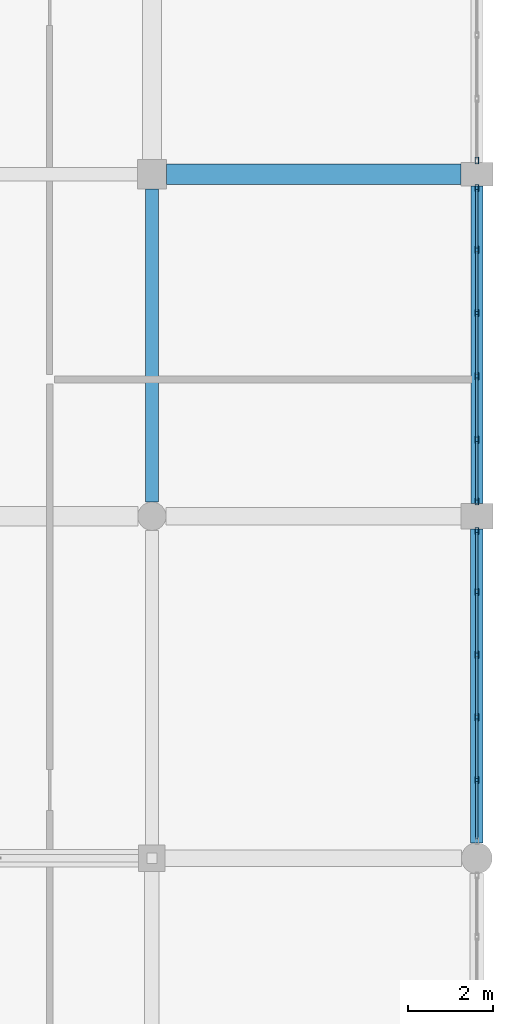
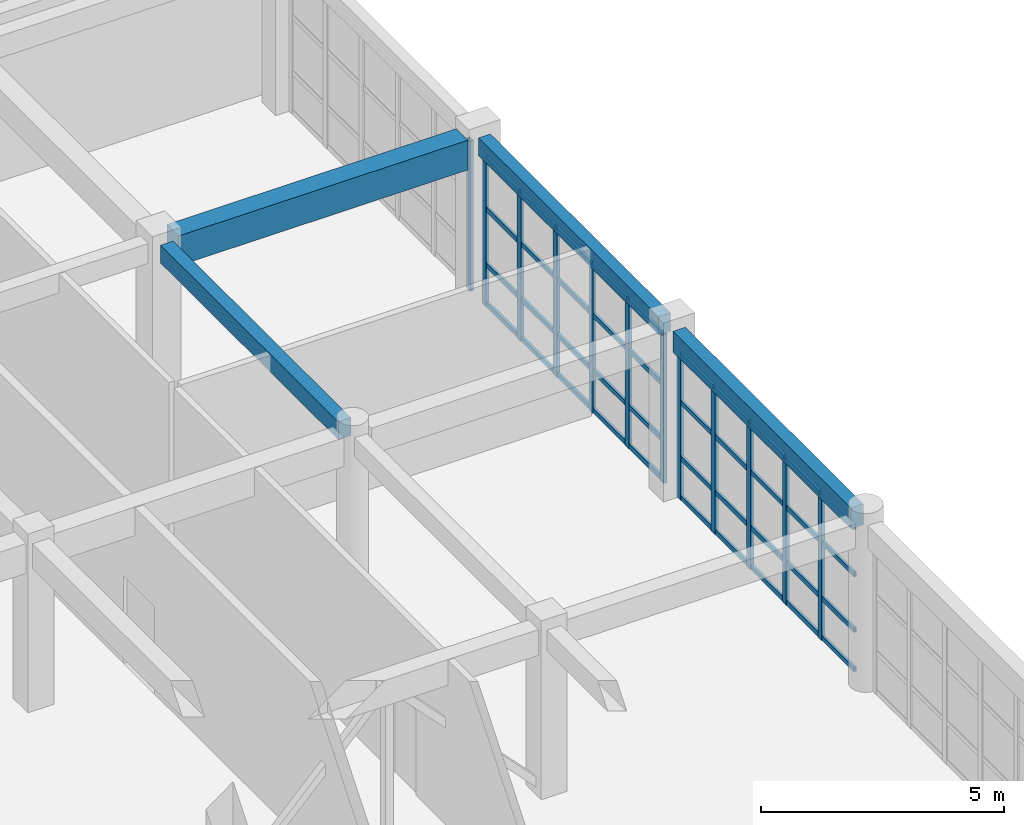
# One storey, part 96 of 160: 52 members, 4 beams, 3 elements without a shape of their own.
"""IFC4 building model written with IfcOpenShell, lengths in metres."""

from ifc_helpers import new_model, si_unit, direction, frame, origin, origin_2d, place, context, subcontext, project, spatial, rectangle, hollow_rectangle, extrude, material, material_profile, profile_set, type_object, element, aggregate, save


model = new_model("IFC4")

# Units and contexts
model_context = context("Model", 3, precision=1e-05, world=origin(), true_north=direction((0.0, 1.0)))
body_context = subcontext(model_context, "Body", "Model", "MODEL_VIEW")
ifc_project = project(units=[si_unit("LENGTHUNIT", "METRE"), si_unit("AREAUNIT", "SQUARE_METRE"), si_unit("VOLUMEUNIT", "CUBIC_METRE"), si_unit("PLANEANGLEUNIT", "RADIAN"), si_unit("MASSUNIT", "GRAM", prefix="KILO")], contexts=[model_context])

# Site, building, storey
site_placement = place(None, origin())
site = spatial("IfcSite", under=ifc_project, at=site_placement, CompositionType="ELEMENT")
building_placement = place(site_placement, origin())
building = spatial("IfcBuilding", under=site, at=building_placement, Name="Kharva Crest Polytechnic", CompositionType="ELEMENT")
storey_placement = place(building_placement, frame((0.0, 0.0, 4.5)))
storey = spatial("IfcBuildingStorey", under=building, at=storey_placement, Name="L01", CompositionType="ELEMENT", Elevation=4.5)

# Beams
ifc_material_1 = material(Name="Concrete C35/45", Category="concrete")
ifc_material_profile_1 = material_profile(ifc_material_1, rectangle(XDim=0.300048828125, YDim=0.449951171875, at=origin_2d()), Name="RECT 300 X 450")
ifc_profile_set_1 = profile_set([ifc_material_profile_1], Name="Concrete C35/45")
beam_type_1 = type_object("IfcBeamType", Name="BM-RC-300X450", PredefinedType="BEAM", material=ifc_profile_set_1)
beam_1_placement = place(storey_placement, frame((176.39990234375, 55.1298828125, 3.9951171875), z_axis=(0.0, 1.0, 0.0), x_axis=(-1.0, 0.0, 0.0)))
element("IfcBeam", 1, at=beam_1_placement, inside=storey, type_object=beam_type_1, Name="L01 Girder 23/H-J", PredefinedType="BEAM", context=body_context, shape_type="SweptSolid", body=[
    extrude(rectangle(XDim=0.300048828125, YDim=0.449951171875, at=origin_2d()), origin(), (0.0, 0.0, 1.0), 7.330078125),
])
ifc_material_profile_2 = material_profile(ifc_material_1, rectangle(XDim=0.47998046875, YDim=0.75, at=origin_2d()), Name="RECT 480 X 750")
ifc_profile_set_2 = profile_set([ifc_material_profile_2], Name="Concrete C35/45")
beam_type_2 = type_object("IfcBeamType", Name="BM-RC-480X750", PredefinedType="BEAM", material=ifc_profile_set_2)
beam_2_placement = place(storey_placement, frame((176.739990234375, 62.800048828125, 3.844970703125), z_axis=(1.0, 0.0, 0.0), x_axis=(0.0, 1.0, 0.0)))
element("IfcBeam", 2, at=beam_2_placement, inside=storey, type_object=beam_type_2, Name="L01 Beam J/23-24", PredefinedType="BEAM", context=body_context, shape_type="SweptSolid", body=[
    extrude(rectangle(XDim=0.47998046875, YDim=0.75, at=origin_2d()), origin(), (0.0, 0.0, 1.0), 6.885009765625),
])

# Curtain wall, members
ifc_material_2 = material(Name="Tempered insulated glass", Category="glass")
curtain_wall_type = type_object("IfcCurtainWallType", Name="CW-SYS-COURT", PredefinedType="USERDEFINED", material=ifc_material_2)
curtain_wall_1_placement = place(storey_placement, origin())
curtain_wall_1 = element("IfcCurtainWall", 3, at=curtain_wall_1_placement, inside=storey, type_object=curtain_wall_type, Name="L01 Glazed Curtain Wall CW-059", ObjectType="CURTAIN WALL", PredefinedType="USERDEFINED")
ifc_material_3 = material(Name="Steel S355", Category="steel")
ifc_material_profile_3 = material_profile(ifc_material_3, hollow_rectangle(XDim=0.080078125, YDim=0.159912109375, WallThickness=0.0048828125, at=origin_2d()), Name="RHS 160X80X5.0")
ifc_profile_set_3 = profile_set([ifc_material_profile_3], Name="Steel S355")
member_type_1 = type_object("IfcMemberType", Name="CWM-RHS160X80", PredefinedType="MULLION", material=ifc_profile_set_3)
member_1_placement = place(storey_placement, frame((184.0, 48.631103515625, 0.0), z_axis=(0.0, 0.0, 1.0), x_axis=(-1.0, 0.0, 0.0)))
member_1 = element("IfcMember", 4, at=member_1_placement, type_object=member_type_1, Name="CW-059 mullion 2", PredefinedType="MULLION", context=body_context, shape_type="SweptSolid", body=[
    extrude(hollow_rectangle(XDim=0.080078125, YDim=0.159912109375, WallThickness=0.0048828125, at=origin_2d()), origin(), (0.0, 0.0, 1.0), 3.699951171875),
])
member_2_placement = place(storey_placement, frame((184.0, 50.096923828125, 0.0), z_axis=(0.0, 0.0, 1.0), x_axis=(-1.0, 0.0, 0.0)))
member_2 = element("IfcMember", 5, at=member_2_placement, type_object=member_type_1, Name="CW-059 mullion 3", PredefinedType="MULLION", context=body_context, shape_type="SweptSolid", body=[
    extrude(hollow_rectangle(XDim=0.080078125, YDim=0.159912109375, WallThickness=0.0048828125, at=origin_2d()), origin(), (0.0, 0.0, 1.0), 3.699951171875),
])
member_3_placement = place(storey_placement, frame((184.0, 51.56298828125, 0.0), z_axis=(0.0, 0.0, 1.0), x_axis=(-1.0, 0.0, 0.0)))
member_3 = element("IfcMember", 6, at=member_3_placement, type_object=member_type_1, Name="CW-059 mullion 4", PredefinedType="MULLION", context=body_context, shape_type="SweptSolid", body=[
    extrude(hollow_rectangle(XDim=0.080078125, YDim=0.159912109375, WallThickness=0.0048828125, at=origin_2d()), origin(), (0.0, 0.0, 1.0), 3.699951171875),
])
member_4_placement = place(storey_placement, frame((184.0, 53.029052734375, 0.0), z_axis=(0.0, 0.0, 1.0), x_axis=(-1.0, 0.0, 0.0)))
member_4 = element("IfcMember", 7, at=member_4_placement, type_object=member_type_1, Name="CW-059 mullion 5", PredefinedType="MULLION", context=body_context, shape_type="SweptSolid", body=[
    extrude(hollow_rectangle(XDim=0.080078125, YDim=0.159912109375, WallThickness=0.0048828125, at=origin_2d()), origin(), (0.0, 0.0, 1.0), 3.699951171875),
])
member_5_placement = place(storey_placement, frame((184.0, 54.455078125, 0.0), z_axis=(0.0, 0.0, 1.0), x_axis=(-1.0, 0.0, 0.0)))
member_5 = element("IfcMember", 8, at=member_5_placement, type_object=member_type_1, Name="CW-059 mullion 6", PredefinedType="MULLION", context=body_context, shape_type="SweptSolid", body=[
    extrude(hollow_rectangle(XDim=0.080078125, YDim=0.159912109375, WallThickness=0.0048828125, at=origin_2d()), origin(), (0.0, 0.0, 1.0), 3.699951171875),
])

curtain_wall_2_placement = place(storey_placement, origin())
curtain_wall_2 = element("IfcCurtainWall", 9, at=curtain_wall_2_placement, inside=storey, type_object=curtain_wall_type, Name="L01 Glazed Curtain Wall CW-060", ObjectType="CURTAIN WALL", PredefinedType="USERDEFINED")
member_6_placement = place(storey_placement, frame((184.0, 55.14501953125, 0.0), z_axis=(0.0, 0.0, 1.0), x_axis=(-1.0, 0.0, 0.0)))
member_6 = element("IfcMember", 10, at=member_6_placement, type_object=member_type_1, Name="CW-060 mullion 1", PredefinedType="MULLION", context=body_context, shape_type="SweptSolid", body=[
    extrude(hollow_rectangle(XDim=0.080078125, YDim=0.159912109375, WallThickness=0.0048828125, at=origin_2d()), origin(), (0.0, 0.0, 1.0), 3.760009765625),
])
member_7_placement = place(storey_placement, frame((184.0, 56.587890625, 0.0), z_axis=(0.0, 0.0, 1.0), x_axis=(-1.0, 0.0, 0.0)))
member_7 = element("IfcMember", 11, at=member_7_placement, type_object=member_type_1, Name="CW-060 mullion 2", PredefinedType="MULLION", context=body_context, shape_type="SweptSolid", body=[
    extrude(hollow_rectangle(XDim=0.080078125, YDim=0.159912109375, WallThickness=0.0048828125, at=origin_2d()), origin(), (0.0, 0.0, 1.0), 3.760009765625),
])
member_8_placement = place(storey_placement, frame((184.0, 58.071044921875, 0.0), z_axis=(0.0, 0.0, 1.0), x_axis=(-1.0, 0.0, 0.0)))
member_8 = element("IfcMember", 12, at=member_8_placement, type_object=member_type_1, Name="CW-060 mullion 3", PredefinedType="MULLION", context=body_context, shape_type="SweptSolid", body=[
    extrude(hollow_rectangle(XDim=0.080078125, YDim=0.159912109375, WallThickness=0.0048828125, at=origin_2d()), origin(), (0.0, 0.0, 1.0), 3.760009765625),
])
member_9_placement = place(storey_placement, frame((184.0, 59.553955078125, 0.0), z_axis=(0.0, 0.0, 1.0), x_axis=(-1.0, 0.0, 0.0)))
member_9 = element("IfcMember", 13, at=member_9_placement, type_object=member_type_1, Name="CW-060 mullion 4", PredefinedType="MULLION", context=body_context, shape_type="SweptSolid", body=[
    extrude(hollow_rectangle(XDim=0.080078125, YDim=0.159912109375, WallThickness=0.0048828125, at=origin_2d()), origin(), (0.0, 0.0, 1.0), 3.760009765625),
])
member_10_placement = place(storey_placement, frame((184.0, 61.037109375, 0.0), z_axis=(0.0, 0.0, 1.0), x_axis=(-1.0, 0.0, 0.0)))
member_10 = element("IfcMember", 14, at=member_10_placement, type_object=member_type_1, Name="CW-060 mullion 5", PredefinedType="MULLION", context=body_context, shape_type="SweptSolid", body=[
    extrude(hollow_rectangle(XDim=0.080078125, YDim=0.159912109375, WallThickness=0.0048828125, at=origin_2d()), origin(), (0.0, 0.0, 1.0), 3.760009765625),
])
member_11_placement = place(storey_placement, frame((184.0, 62.47998046875, 0.0), z_axis=(0.0, 0.0, 1.0), x_axis=(-1.0, 0.0, 0.0)))
member_11 = element("IfcMember", 15, at=member_11_placement, type_object=member_type_1, Name="CW-060 mullion 6", PredefinedType="MULLION", context=body_context, shape_type="SweptSolid", body=[
    extrude(hollow_rectangle(XDim=0.080078125, YDim=0.159912109375, WallThickness=0.0048828125, at=origin_2d()), origin(), (0.0, 0.0, 1.0), 3.760009765625),
])

# Curtain wall, member
curtain_wall_3_placement = place(storey_placement, origin())
curtain_wall_3 = element("IfcCurtainWall", 16, at=curtain_wall_3_placement, inside=storey, type_object=curtain_wall_type, Name="L01 Glazed Curtain Wall CW-061", ObjectType="CURTAIN WALL", PredefinedType="USERDEFINED")
member_12_placement = place(storey_placement, frame((184.0, 63.1201171875, 0.0), z_axis=(0.0, 0.0, 1.0), x_axis=(-1.0, 0.0, 0.0)))
member_12 = element("IfcMember", 17, at=member_12_placement, type_object=member_type_1, Name="CW-061 mullion 1", PredefinedType="MULLION", context=body_context, shape_type="SweptSolid", body=[
    extrude(hollow_rectangle(XDim=0.080078125, YDim=0.159912109375, WallThickness=0.0048828125, at=origin_2d()), origin(), (0.0, 0.0, 1.0), 3.780029296875),
])
aggregate(curtain_wall_3, [member_12])

# Member
ifc_material_profile_4 = material_profile(ifc_material_3, hollow_rectangle(XDim=0.06005859375, YDim=0.1201171875, WallThickness=0.00390625, at=origin_2d()), Name="RHS 120X60X4.0")
ifc_profile_set_4 = profile_set([ifc_material_profile_4], Name="Steel S355")
member_type_2 = type_object("IfcMemberType", Name="CWT-RHS120X60", PredefinedType="USERDEFINED", material=ifc_profile_set_4)
member_13_placement = place(storey_placement, frame((184.0, 47.2451171875, 0.06005859375), z_axis=(0.0, 1.0, 0.0), x_axis=(-1.0, 0.0, 0.0)))
member_13 = element("IfcMember", 18, at=member_13_placement, type_object=member_type_2, Name="CW-059 transom 1.1", ObjectType="TRANSOM", PredefinedType="USERDEFINED", context=body_context, shape_type="SweptSolid", body=[
    extrude(hollow_rectangle(XDim=0.06005859375, YDim=0.1201171875, WallThickness=0.00390625, at=origin_2d()), origin(), (0.0, 0.0, 1.0), 1.345947265625),
])

member_14_placement = place(storey_placement, frame((184.0, 47.2451171875, 1.050048828125), z_axis=(0.0, 1.0, 0.0), x_axis=(-1.0, 0.0, 0.0)))
member_14 = element("IfcMember", 19, at=member_14_placement, type_object=member_type_2, Name="CW-059 transom 1.2", ObjectType="TRANSOM", PredefinedType="USERDEFINED", context=body_context, shape_type="SweptSolid", body=[
    extrude(hollow_rectangle(XDim=0.06005859375, YDim=0.1201171875, WallThickness=0.00390625, at=origin_2d()), origin(), (0.0, 0.0, 1.0), 1.345947265625),
])

member_15_placement = place(storey_placement, frame((184.0, 47.2451171875, 2.449951171875), z_axis=(0.0, 1.0, 0.0), x_axis=(-1.0, 0.0, 0.0)))
member_15 = element("IfcMember", 20, at=member_15_placement, type_object=member_type_2, Name="CW-059 transom 1.3", ObjectType="TRANSOM", PredefinedType="USERDEFINED", context=body_context, shape_type="SweptSolid", body=[
    extrude(hollow_rectangle(XDim=0.06005859375, YDim=0.1201171875, WallThickness=0.00390625, at=origin_2d()), origin(), (0.0, 0.0, 1.0), 1.345947265625),
])

member_16_placement = place(storey_placement, frame((184.0, 47.2451171875, 3.639892578125), z_axis=(0.0, 1.0, 0.0), x_axis=(-1.0, 0.0, 0.0)))
member_16 = element("IfcMember", 21, at=member_16_placement, type_object=member_type_2, Name="CW-059 transom 1.4", ObjectType="TRANSOM", PredefinedType="USERDEFINED", context=body_context, shape_type="SweptSolid", body=[
    extrude(hollow_rectangle(XDim=0.06005859375, YDim=0.1201171875, WallThickness=0.00390625, at=origin_2d()), origin(), (0.0, 0.0, 1.0), 1.345947265625),
])

member_17_placement = place(storey_placement, frame((184.0, 48.6708984375, 0.06005859375), z_axis=(0.0, 1.0, 0.0), x_axis=(-1.0, 0.0, 0.0)))
member_17 = element("IfcMember", 22, at=member_17_placement, type_object=member_type_2, Name="CW-059 transom 2.1", ObjectType="TRANSOM", PredefinedType="USERDEFINED", context=body_context, shape_type="SweptSolid", body=[
    extrude(hollow_rectangle(XDim=0.06005859375, YDim=0.1201171875, WallThickness=0.00390625, at=origin_2d()), origin(), (0.0, 0.0, 1.0), 1.385986328125),
])

member_18_placement = place(storey_placement, frame((184.0, 48.6708984375, 1.050048828125), z_axis=(0.0, 1.0, 0.0), x_axis=(-1.0, 0.0, 0.0)))
member_18 = element("IfcMember", 23, at=member_18_placement, type_object=member_type_2, Name="CW-059 transom 2.2", ObjectType="TRANSOM", PredefinedType="USERDEFINED", context=body_context, shape_type="SweptSolid", body=[
    extrude(hollow_rectangle(XDim=0.06005859375, YDim=0.1201171875, WallThickness=0.00390625, at=origin_2d()), origin(), (0.0, 0.0, 1.0), 1.385986328125),
])

member_19_placement = place(storey_placement, frame((184.0, 48.6708984375, 2.449951171875), z_axis=(0.0, 1.0, 0.0), x_axis=(-1.0, 0.0, 0.0)))
member_19 = element("IfcMember", 24, at=member_19_placement, type_object=member_type_2, Name="CW-059 transom 2.3", ObjectType="TRANSOM", PredefinedType="USERDEFINED", context=body_context, shape_type="SweptSolid", body=[
    extrude(hollow_rectangle(XDim=0.06005859375, YDim=0.1201171875, WallThickness=0.00390625, at=origin_2d()), origin(), (0.0, 0.0, 1.0), 1.385986328125),
])

member_20_placement = place(storey_placement, frame((184.0, 48.6708984375, 3.639892578125), z_axis=(0.0, 1.0, 0.0), x_axis=(-1.0, 0.0, 0.0)))
member_20 = element("IfcMember", 25, at=member_20_placement, type_object=member_type_2, Name="CW-059 transom 2.4", ObjectType="TRANSOM", PredefinedType="USERDEFINED", context=body_context, shape_type="SweptSolid", body=[
    extrude(hollow_rectangle(XDim=0.06005859375, YDim=0.1201171875, WallThickness=0.00390625, at=origin_2d()), origin(), (0.0, 0.0, 1.0), 1.385986328125),
])

member_21_placement = place(storey_placement, frame((184.0, 50.136962890625, 0.06005859375), z_axis=(0.0, 1.0, 0.0), x_axis=(-1.0, 0.0, 0.0)))
member_21 = element("IfcMember", 26, at=member_21_placement, type_object=member_type_2, Name="CW-059 transom 3.1", ObjectType="TRANSOM", PredefinedType="USERDEFINED", context=body_context, shape_type="SweptSolid", body=[
    extrude(hollow_rectangle(XDim=0.06005859375, YDim=0.1201171875, WallThickness=0.00390625, at=origin_2d()), origin(), (0.0, 0.0, 1.0), 1.385986328125),
])

member_22_placement = place(storey_placement, frame((184.0, 50.136962890625, 1.050048828125), z_axis=(0.0, 1.0, 0.0), x_axis=(-1.0, 0.0, 0.0)))
member_22 = element("IfcMember", 27, at=member_22_placement, type_object=member_type_2, Name="CW-059 transom 3.2", ObjectType="TRANSOM", PredefinedType="USERDEFINED", context=body_context, shape_type="SweptSolid", body=[
    extrude(hollow_rectangle(XDim=0.06005859375, YDim=0.1201171875, WallThickness=0.00390625, at=origin_2d()), origin(), (0.0, 0.0, 1.0), 1.385986328125),
])

member_23_placement = place(storey_placement, frame((184.0, 50.136962890625, 2.449951171875), z_axis=(0.0, 1.0, 0.0), x_axis=(-1.0, 0.0, 0.0)))
member_23 = element("IfcMember", 28, at=member_23_placement, type_object=member_type_2, Name="CW-059 transom 3.3", ObjectType="TRANSOM", PredefinedType="USERDEFINED", context=body_context, shape_type="SweptSolid", body=[
    extrude(hollow_rectangle(XDim=0.06005859375, YDim=0.1201171875, WallThickness=0.00390625, at=origin_2d()), origin(), (0.0, 0.0, 1.0), 1.385986328125),
])

member_24_placement = place(storey_placement, frame((184.0, 50.136962890625, 3.639892578125), z_axis=(0.0, 1.0, 0.0), x_axis=(-1.0, 0.0, 0.0)))
member_24 = element("IfcMember", 29, at=member_24_placement, type_object=member_type_2, Name="CW-059 transom 3.4", ObjectType="TRANSOM", PredefinedType="USERDEFINED", context=body_context, shape_type="SweptSolid", body=[
    extrude(hollow_rectangle(XDim=0.06005859375, YDim=0.1201171875, WallThickness=0.00390625, at=origin_2d()), origin(), (0.0, 0.0, 1.0), 1.385986328125),
])

member_25_placement = place(storey_placement, frame((184.0, 51.60302734375, 0.06005859375), z_axis=(0.0, 1.0, 0.0), x_axis=(-1.0, 0.0, 0.0)))
member_25 = element("IfcMember", 30, at=member_25_placement, type_object=member_type_2, Name="CW-059 transom 4.1", ObjectType="TRANSOM", PredefinedType="USERDEFINED", context=body_context, shape_type="SweptSolid", body=[
    extrude(hollow_rectangle(XDim=0.06005859375, YDim=0.1201171875, WallThickness=0.00390625, at=origin_2d()), origin(), (0.0, 0.0, 1.0), 1.385986328125),
])

member_26_placement = place(storey_placement, frame((184.0, 51.60302734375, 1.050048828125), z_axis=(0.0, 1.0, 0.0), x_axis=(-1.0, 0.0, 0.0)))
member_26 = element("IfcMember", 31, at=member_26_placement, type_object=member_type_2, Name="CW-059 transom 4.2", ObjectType="TRANSOM", PredefinedType="USERDEFINED", context=body_context, shape_type="SweptSolid", body=[
    extrude(hollow_rectangle(XDim=0.06005859375, YDim=0.1201171875, WallThickness=0.00390625, at=origin_2d()), origin(), (0.0, 0.0, 1.0), 1.385986328125),
])

member_27_placement = place(storey_placement, frame((184.0, 51.60302734375, 2.449951171875), z_axis=(0.0, 1.0, 0.0), x_axis=(-1.0, 0.0, 0.0)))
member_27 = element("IfcMember", 32, at=member_27_placement, type_object=member_type_2, Name="CW-059 transom 4.3", ObjectType="TRANSOM", PredefinedType="USERDEFINED", context=body_context, shape_type="SweptSolid", body=[
    extrude(hollow_rectangle(XDim=0.06005859375, YDim=0.1201171875, WallThickness=0.00390625, at=origin_2d()), origin(), (0.0, 0.0, 1.0), 1.385986328125),
])

member_28_placement = place(storey_placement, frame((184.0, 51.60302734375, 3.639892578125), z_axis=(0.0, 1.0, 0.0), x_axis=(-1.0, 0.0, 0.0)))
member_28 = element("IfcMember", 33, at=member_28_placement, type_object=member_type_2, Name="CW-059 transom 4.4", ObjectType="TRANSOM", PredefinedType="USERDEFINED", context=body_context, shape_type="SweptSolid", body=[
    extrude(hollow_rectangle(XDim=0.06005859375, YDim=0.1201171875, WallThickness=0.00390625, at=origin_2d()), origin(), (0.0, 0.0, 1.0), 1.385986328125),
])

member_29_placement = place(storey_placement, frame((184.0, 53.069091796875, 0.06005859375), z_axis=(0.0, 1.0, 0.0), x_axis=(-1.0, 0.0, 0.0)))
member_29 = element("IfcMember", 34, at=member_29_placement, type_object=member_type_2, Name="CW-059 transom 5.1", ObjectType="TRANSOM", PredefinedType="USERDEFINED", context=body_context, shape_type="SweptSolid", body=[
    extrude(hollow_rectangle(XDim=0.06005859375, YDim=0.1201171875, WallThickness=0.00390625, at=origin_2d()), origin(), (0.0, 0.0, 1.0), 1.345947265625),
])

member_30_placement = place(storey_placement, frame((184.0, 53.069091796875, 1.050048828125), z_axis=(0.0, 1.0, 0.0), x_axis=(-1.0, 0.0, 0.0)))
member_30 = element("IfcMember", 35, at=member_30_placement, type_object=member_type_2, Name="CW-059 transom 5.2", ObjectType="TRANSOM", PredefinedType="USERDEFINED", context=body_context, shape_type="SweptSolid", body=[
    extrude(hollow_rectangle(XDim=0.06005859375, YDim=0.1201171875, WallThickness=0.00390625, at=origin_2d()), origin(), (0.0, 0.0, 1.0), 1.345947265625),
])

member_31_placement = place(storey_placement, frame((184.0, 53.069091796875, 2.449951171875), z_axis=(0.0, 1.0, 0.0), x_axis=(-1.0, 0.0, 0.0)))
member_31 = element("IfcMember", 36, at=member_31_placement, type_object=member_type_2, Name="CW-059 transom 5.3", ObjectType="TRANSOM", PredefinedType="USERDEFINED", context=body_context, shape_type="SweptSolid", body=[
    extrude(hollow_rectangle(XDim=0.06005859375, YDim=0.1201171875, WallThickness=0.00390625, at=origin_2d()), origin(), (0.0, 0.0, 1.0), 1.345947265625),
])

member_32_placement = place(storey_placement, frame((184.0, 53.069091796875, 3.639892578125), z_axis=(0.0, 1.0, 0.0), x_axis=(-1.0, 0.0, 0.0)))
member_32 = element("IfcMember", 37, at=member_32_placement, type_object=member_type_2, Name="CW-059 transom 5.4", ObjectType="TRANSOM", PredefinedType="USERDEFINED", context=body_context, shape_type="SweptSolid", body=[
    extrude(hollow_rectangle(XDim=0.06005859375, YDim=0.1201171875, WallThickness=0.00390625, at=origin_2d()), origin(), (0.0, 0.0, 1.0), 1.345947265625),
])

aggregate(curtain_wall_1, [member_1, member_2, member_3, member_4, member_5, member_13, member_14, member_15, member_16, member_17, member_18, member_19, member_20, member_21, member_22, member_23, member_24, member_25, member_26, member_27, member_28, member_29, member_30, member_31, member_32])

member_33_placement = place(storey_placement, frame((184.0, 55.18505859375, 0.06005859375), z_axis=(0.0, 1.0, 0.0), x_axis=(-1.0, 0.0, 0.0)))
member_33 = element("IfcMember", 38, at=member_33_placement, type_object=member_type_2, Name="CW-060 transom 1.1", ObjectType="TRANSOM", PredefinedType="USERDEFINED", context=body_context, shape_type="SweptSolid", body=[
    extrude(hollow_rectangle(XDim=0.06005859375, YDim=0.1201171875, WallThickness=0.00390625, at=origin_2d()), origin(), (0.0, 0.0, 1.0), 1.363037109375),
])

member_34_placement = place(storey_placement, frame((184.0, 55.18505859375, 1.050048828125), z_axis=(0.0, 1.0, 0.0), x_axis=(-1.0, 0.0, 0.0)))
member_34 = element("IfcMember", 39, at=member_34_placement, type_object=member_type_2, Name="CW-060 transom 1.2", ObjectType="TRANSOM", PredefinedType="USERDEFINED", context=body_context, shape_type="SweptSolid", body=[
    extrude(hollow_rectangle(XDim=0.06005859375, YDim=0.1201171875, WallThickness=0.00390625, at=origin_2d()), origin(), (0.0, 0.0, 1.0), 1.363037109375),
])

member_35_placement = place(storey_placement, frame((184.0, 55.18505859375, 2.449951171875), z_axis=(0.0, 1.0, 0.0), x_axis=(-1.0, 0.0, 0.0)))
member_35 = element("IfcMember", 40, at=member_35_placement, type_object=member_type_2, Name="CW-060 transom 1.3", ObjectType="TRANSOM", PredefinedType="USERDEFINED", context=body_context, shape_type="SweptSolid", body=[
    extrude(hollow_rectangle(XDim=0.06005859375, YDim=0.1201171875, WallThickness=0.00390625, at=origin_2d()), origin(), (0.0, 0.0, 1.0), 1.363037109375),
])

member_36_placement = place(storey_placement, frame((184.0, 55.18505859375, 3.699951171875), z_axis=(0.0, 1.0, 0.0), x_axis=(-1.0, 0.0, 0.0)))
member_36 = element("IfcMember", 41, at=member_36_placement, type_object=member_type_2, Name="CW-060 transom 1.4", ObjectType="TRANSOM", PredefinedType="USERDEFINED", context=body_context, shape_type="SweptSolid", body=[
    extrude(hollow_rectangle(XDim=0.06005859375, YDim=0.1201171875, WallThickness=0.00390625, at=origin_2d()), origin(), (0.0, 0.0, 1.0), 1.363037109375),
])

member_37_placement = place(storey_placement, frame((184.0, 56.6279296875, 0.06005859375), z_axis=(0.0, 1.0, 0.0), x_axis=(-1.0, 0.0, 0.0)))
member_37 = element("IfcMember", 42, at=member_37_placement, type_object=member_type_2, Name="CW-060 transom 2.1", ObjectType="TRANSOM", PredefinedType="USERDEFINED", context=body_context, shape_type="SweptSolid", body=[
    extrude(hollow_rectangle(XDim=0.06005859375, YDim=0.1201171875, WallThickness=0.00390625, at=origin_2d()), origin(), (0.0, 0.0, 1.0), 1.403076171875),
])

member_38_placement = place(storey_placement, frame((184.0, 56.6279296875, 1.050048828125), z_axis=(0.0, 1.0, 0.0), x_axis=(-1.0, 0.0, 0.0)))
member_38 = element("IfcMember", 43, at=member_38_placement, type_object=member_type_2, Name="CW-060 transom 2.2", ObjectType="TRANSOM", PredefinedType="USERDEFINED", context=body_context, shape_type="SweptSolid", body=[
    extrude(hollow_rectangle(XDim=0.06005859375, YDim=0.1201171875, WallThickness=0.00390625, at=origin_2d()), origin(), (0.0, 0.0, 1.0), 1.403076171875),
])

member_39_placement = place(storey_placement, frame((184.0, 56.6279296875, 2.449951171875), z_axis=(0.0, 1.0, 0.0), x_axis=(-1.0, 0.0, 0.0)))
member_39 = element("IfcMember", 44, at=member_39_placement, type_object=member_type_2, Name="CW-060 transom 2.3", ObjectType="TRANSOM", PredefinedType="USERDEFINED", context=body_context, shape_type="SweptSolid", body=[
    extrude(hollow_rectangle(XDim=0.06005859375, YDim=0.1201171875, WallThickness=0.00390625, at=origin_2d()), origin(), (0.0, 0.0, 1.0), 1.403076171875),
])

member_40_placement = place(storey_placement, frame((184.0, 56.6279296875, 3.699951171875), z_axis=(0.0, 1.0, 0.0), x_axis=(-1.0, 0.0, 0.0)))
member_40 = element("IfcMember", 45, at=member_40_placement, type_object=member_type_2, Name="CW-060 transom 2.4", ObjectType="TRANSOM", PredefinedType="USERDEFINED", context=body_context, shape_type="SweptSolid", body=[
    extrude(hollow_rectangle(XDim=0.06005859375, YDim=0.1201171875, WallThickness=0.00390625, at=origin_2d()), origin(), (0.0, 0.0, 1.0), 1.403076171875),
])

member_41_placement = place(storey_placement, frame((184.0, 58.111083984375, 0.06005859375), z_axis=(0.0, 1.0, 0.0), x_axis=(-1.0, 0.0, 0.0)))
member_41 = element("IfcMember", 46, at=member_41_placement, type_object=member_type_2, Name="CW-060 transom 3.1", ObjectType="TRANSOM", PredefinedType="USERDEFINED", context=body_context, shape_type="SweptSolid", body=[
    extrude(hollow_rectangle(XDim=0.06005859375, YDim=0.1201171875, WallThickness=0.00390625, at=origin_2d()), origin(), (0.0, 0.0, 1.0), 1.40283203125),
])

member_42_placement = place(storey_placement, frame((184.0, 58.111083984375, 1.050048828125), z_axis=(0.0, 1.0, 0.0), x_axis=(-1.0, 0.0, 0.0)))
member_42 = element("IfcMember", 47, at=member_42_placement, type_object=member_type_2, Name="CW-060 transom 3.2", ObjectType="TRANSOM", PredefinedType="USERDEFINED", context=body_context, shape_type="SweptSolid", body=[
    extrude(hollow_rectangle(XDim=0.06005859375, YDim=0.1201171875, WallThickness=0.00390625, at=origin_2d()), origin(), (0.0, 0.0, 1.0), 1.40283203125),
])

member_43_placement = place(storey_placement, frame((184.0, 58.111083984375, 2.449951171875), z_axis=(0.0, 1.0, 0.0), x_axis=(-1.0, 0.0, 0.0)))
member_43 = element("IfcMember", 48, at=member_43_placement, type_object=member_type_2, Name="CW-060 transom 3.3", ObjectType="TRANSOM", PredefinedType="USERDEFINED", context=body_context, shape_type="SweptSolid", body=[
    extrude(hollow_rectangle(XDim=0.06005859375, YDim=0.1201171875, WallThickness=0.00390625, at=origin_2d()), origin(), (0.0, 0.0, 1.0), 1.40283203125),
])

member_44_placement = place(storey_placement, frame((184.0, 58.111083984375, 3.699951171875), z_axis=(0.0, 1.0, 0.0), x_axis=(-1.0, 0.0, 0.0)))
member_44 = element("IfcMember", 49, at=member_44_placement, type_object=member_type_2, Name="CW-060 transom 3.4", ObjectType="TRANSOM", PredefinedType="USERDEFINED", context=body_context, shape_type="SweptSolid", body=[
    extrude(hollow_rectangle(XDim=0.06005859375, YDim=0.1201171875, WallThickness=0.00390625, at=origin_2d()), origin(), (0.0, 0.0, 1.0), 1.40283203125),
])

member_45_placement = place(storey_placement, frame((184.0, 59.593994140625, 0.06005859375), z_axis=(0.0, 1.0, 0.0), x_axis=(-1.0, 0.0, 0.0)))
member_45 = element("IfcMember", 50, at=member_45_placement, type_object=member_type_2, Name="CW-060 transom 4.1", ObjectType="TRANSOM", PredefinedType="USERDEFINED", context=body_context, shape_type="SweptSolid", body=[
    extrude(hollow_rectangle(XDim=0.06005859375, YDim=0.1201171875, WallThickness=0.00390625, at=origin_2d()), origin(), (0.0, 0.0, 1.0), 1.403076171875),
])

member_46_placement = place(storey_placement, frame((184.0, 59.593994140625, 1.050048828125), z_axis=(0.0, 1.0, 0.0), x_axis=(-1.0, 0.0, 0.0)))
member_46 = element("IfcMember", 51, at=member_46_placement, type_object=member_type_2, Name="CW-060 transom 4.2", ObjectType="TRANSOM", PredefinedType="USERDEFINED", context=body_context, shape_type="SweptSolid", body=[
    extrude(hollow_rectangle(XDim=0.06005859375, YDim=0.1201171875, WallThickness=0.00390625, at=origin_2d()), origin(), (0.0, 0.0, 1.0), 1.403076171875),
])

member_47_placement = place(storey_placement, frame((184.0, 59.593994140625, 2.449951171875), z_axis=(0.0, 1.0, 0.0), x_axis=(-1.0, 0.0, 0.0)))
member_47 = element("IfcMember", 52, at=member_47_placement, type_object=member_type_2, Name="CW-060 transom 4.3", ObjectType="TRANSOM", PredefinedType="USERDEFINED", context=body_context, shape_type="SweptSolid", body=[
    extrude(hollow_rectangle(XDim=0.06005859375, YDim=0.1201171875, WallThickness=0.00390625, at=origin_2d()), origin(), (0.0, 0.0, 1.0), 1.403076171875),
])

member_48_placement = place(storey_placement, frame((184.0, 59.593994140625, 3.699951171875), z_axis=(0.0, 1.0, 0.0), x_axis=(-1.0, 0.0, 0.0)))
member_48 = element("IfcMember", 53, at=member_48_placement, type_object=member_type_2, Name="CW-060 transom 4.4", ObjectType="TRANSOM", PredefinedType="USERDEFINED", context=body_context, shape_type="SweptSolid", body=[
    extrude(hollow_rectangle(XDim=0.06005859375, YDim=0.1201171875, WallThickness=0.00390625, at=origin_2d()), origin(), (0.0, 0.0, 1.0), 1.403076171875),
])

member_49_placement = place(storey_placement, frame((184.0, 61.076904296875, 0.06005859375), z_axis=(0.0, 1.0, 0.0), x_axis=(-1.0, 0.0, 0.0)))
member_49 = element("IfcMember", 54, at=member_49_placement, type_object=member_type_2, Name="CW-060 transom 5.1", ObjectType="TRANSOM", PredefinedType="USERDEFINED", context=body_context, shape_type="SweptSolid", body=[
    extrude(hollow_rectangle(XDim=0.06005859375, YDim=0.1201171875, WallThickness=0.00390625, at=origin_2d()), origin(), (0.0, 0.0, 1.0), 1.363037109375),
])

member_50_placement = place(storey_placement, frame((184.0, 61.076904296875, 1.050048828125), z_axis=(0.0, 1.0, 0.0), x_axis=(-1.0, 0.0, 0.0)))
member_50 = element("IfcMember", 55, at=member_50_placement, type_object=member_type_2, Name="CW-060 transom 5.2", ObjectType="TRANSOM", PredefinedType="USERDEFINED", context=body_context, shape_type="SweptSolid", body=[
    extrude(hollow_rectangle(XDim=0.06005859375, YDim=0.1201171875, WallThickness=0.00390625, at=origin_2d()), origin(), (0.0, 0.0, 1.0), 1.363037109375),
])

member_51_placement = place(storey_placement, frame((184.0, 61.076904296875, 2.449951171875), z_axis=(0.0, 1.0, 0.0), x_axis=(-1.0, 0.0, 0.0)))
member_51 = element("IfcMember", 56, at=member_51_placement, type_object=member_type_2, Name="CW-060 transom 5.3", ObjectType="TRANSOM", PredefinedType="USERDEFINED", context=body_context, shape_type="SweptSolid", body=[
    extrude(hollow_rectangle(XDim=0.06005859375, YDim=0.1201171875, WallThickness=0.00390625, at=origin_2d()), origin(), (0.0, 0.0, 1.0), 1.363037109375),
])

member_52_placement = place(storey_placement, frame((184.0, 61.076904296875, 3.699951171875), z_axis=(0.0, 1.0, 0.0), x_axis=(-1.0, 0.0, 0.0)))
member_52 = element("IfcMember", 57, at=member_52_placement, type_object=member_type_2, Name="CW-060 transom 5.4", ObjectType="TRANSOM", PredefinedType="USERDEFINED", context=body_context, shape_type="SweptSolid", body=[
    extrude(hollow_rectangle(XDim=0.06005859375, YDim=0.1201171875, WallThickness=0.00390625, at=origin_2d()), origin(), (0.0, 0.0, 1.0), 1.363037109375),
])

aggregate(curtain_wall_2, [member_6, member_7, member_8, member_9, member_10, member_11, member_33, member_34, member_35, member_36, member_37, member_38, member_39, member_40, member_41, member_42, member_43, member_44, member_45, member_46, member_47, member_48, member_49, member_50, member_51, member_52])

# Beams
ifc_material_profile_5 = material_profile(ifc_material_1, rectangle(XDim=0.280029296875, YDim=0.4599609375, at=origin_2d()), Name="RECT 280 X 460")
ifc_profile_set_5 = profile_set([ifc_material_profile_5], Name="Concrete C35/45")
beam_type_3 = type_object("IfcBeamType", Name="SP-RC-280X460", PredefinedType="SPANDREL", material=ifc_profile_set_5)
beam_3_placement = place(storey_placement, frame((184.0, 55.10009765625, 3.989990234375), z_axis=(0.0, 1.0, 0.0), x_axis=(-1.0, 0.0, 0.0)))
element("IfcBeam", 58, at=beam_3_placement, inside=storey, type_object=beam_type_3, Name="L01 Girder 24/H-J", PredefinedType="SPANDREL", context=body_context, shape_type="SweptSolid", body=[
    extrude(rectangle(XDim=0.280029296875, YDim=0.4599609375, at=origin_2d()), origin(), (0.0, 0.0, 1.0), 7.4248046875),
])
ifc_material_profile_6 = material_profile(ifc_material_1, rectangle(XDim=0.300048828125, YDim=0.52001953125, at=origin_2d()), Name="RECT 300 X 520")
ifc_profile_set_6 = profile_set([ifc_material_profile_6], Name="Concrete C35/45")
beam_type_4 = type_object("IfcBeamType", Name="SP-RC-300X520", PredefinedType="SPANDREL", material=ifc_profile_set_6)
beam_4_placement = place(storey_placement, frame((184.0, 47.159912109375, 3.9599609375), z_axis=(0.0, 1.0, 0.0), x_axis=(-1.0, 0.0, 0.0)))
element("IfcBeam", 59, at=beam_4_placement, inside=storey, type_object=beam_type_4, Name="L01 Girder 24/G-H", PredefinedType="SPANDREL", context=body_context, shape_type="SweptSolid", body=[
    extrude(rectangle(XDim=0.300048828125, YDim=0.52001953125, at=origin_2d()), origin(), (0.0, 0.0, 1.0), 7.340087890625),
])

save(model, "model.ifc")
